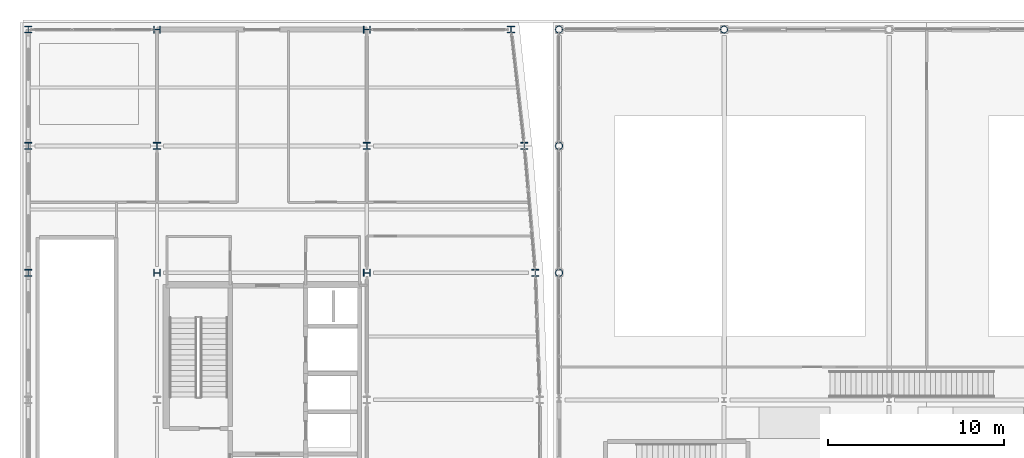
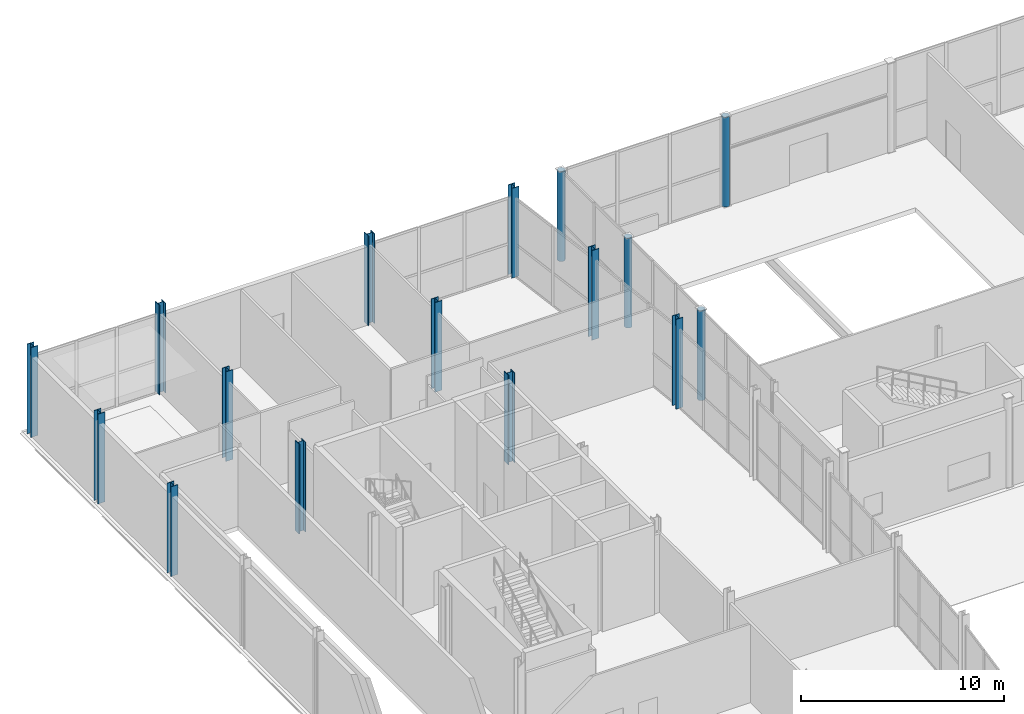
# One storey, part 5 of 83: 16 columns.
"""IFC4 building model written with IfcOpenShell, lengths in metres."""

from ifc_helpers import new_model, si_unit, direction, frame, origin, origin_2d, place, context, subcontext, project, spatial, hollow_circle, i_section, extrude, material, material_profile, profile_set, type_object, element, save


model = new_model("IFC4")

# Units and contexts
model_context = context("Model", 3, precision=1e-05, world=origin(), true_north=direction((0.0, 1.0)))
body_context = subcontext(model_context, "Body", "Model", "MODEL_VIEW")
ifc_project = project(units=[si_unit("LENGTHUNIT", "METRE"), si_unit("AREAUNIT", "SQUARE_METRE"), si_unit("VOLUMEUNIT", "CUBIC_METRE"), si_unit("PLANEANGLEUNIT", "RADIAN"), si_unit("MASSUNIT", "GRAM", prefix="KILO")], contexts=[model_context])

# Site, building, storey
site_placement = place(None, origin())
site = spatial("IfcSite", under=ifc_project, at=site_placement, CompositionType="ELEMENT")
building_placement = place(site_placement, origin())
building = spatial("IfcBuilding", under=site, at=building_placement, Name="Quillay Park Conservatory", CompositionType="ELEMENT")
storey_placement = place(building_placement, origin())
storey = spatial("IfcBuildingStorey", under=building, at=storey_placement, Name="L00", CompositionType="ELEMENT", Elevation=0.0)

# Columns
ifc_material_1 = material(Name="Steel S355J2H", Category="steel")
ifc_material_profile_1 = material_profile(ifc_material_1, hollow_circle(Radius=0.203125, WallThickness=0.01611328125, at=origin_2d()), Name="CHS406.4x16")
ifc_profile_set_1 = profile_set([ifc_material_profile_1], Name="Steel S355J2H")
column_type_1 = type_object("IfcColumnType", Name="COMPOSITE STEEL COLUMN CHS406", PredefinedType="COLUMN", material=ifc_profile_set_1)
for number, where, z_axis, x_axis, name in (
    (1, (30.64990234375, 113.39990234375, 0.0), (0.0, 0.0, 1.0), (1.0, 0.0, 0.0), "L00 column COL-V1-L00-0-1"),
    (2, (40.005615234375, 113.39990234375, 0.0), (0.0, 0.0, 1.0), (1.0, 0.0, 0.0), "L00 column COL-V1-L00-1-1"),
    (3, (30.64990234375, 99.60009765625, 0.0), (0.0, 0.0, 1.0), (1.0, 0.0, 0.0), "L00 column COL-V1E-L00-W-0"),
    (4, (30.64990234375, 106.800048828125, 0.0), (0.0, 0.0, 1.0), (1.0, 0.0, 0.0), "L00 column COL-V1E-L00-W-1"),
):
    element("IfcColumn", number, at=place(storey_placement, frame(where, z_axis=z_axis, x_axis=x_axis)), inside=storey, type_object=column_type_1, Name=name, PredefinedType="COLUMN", context=body_context, shape_type="SweptSolid", body=[
        extrude(hollow_circle(Radius=0.203125, WallThickness=0.01611328125, at=origin_2d()), origin(), (0.0, 0.0, 1.0), 5.39990234375),
    ])
ifc_material_2 = material(Name="Steel ASTM A992 Grade 50", Category="steel")
ifc_material_profile_2 = material_profile(ifc_material_2, i_section(OverallWidth=0.39892578125, OverallDepth=0.39306640625, WebThickness=0.022705078125, FlangeThickness=0.0361328125, FilletRadius=0.014892578125, at=origin_2d()), Name="W360x287")
ifc_profile_set_2 = profile_set([ifc_material_profile_2], Name="Steel ASTM A992 Grade 50")
column_type_2 = type_object("IfcColumnType", Name="COMPOSITE STEEL COLUMN W360 X287", PredefinedType="COLUMN", material=ifc_profile_set_2)
for number, where, z_axis, x_axis, name in (
    (5, (0.550048828125, 99.60009765625, 0.0), (0.0, 0.0, 1.0), (1.0, 0.0, 0.0), "L00 column COL-V4-L00-5-0"),
    (6, (7.85009765625, 99.60009765625, 0.0), (0.0, 0.0, 1.0), (0.0, 1.0, 0.0), "L00 column COL-V4-L00-5-1"),
    (7, (19.75, 99.60009765625, 0.0), (0.0, 0.0, 1.0), (0.0, 1.0, 0.0), "L00 column COL-V4-L00-5-2"),
    (8, (29.300048828125, 99.60009765625, 0.0), (0.0, 0.0, 1.0), (1.0, 0.0, 0.0), "L00 column COL-V4-L00-5-3"),
    (9, (0.550048828125, 106.800048828125, 0.0), (0.0, 0.0, 1.0), (1.0, 0.0, 0.0), "L00 column COL-V4-L00-6-0"),
    (10, (7.85009765625, 106.800048828125, 0.0), (0.0, 0.0, 1.0), (1.0, 0.0, 0.0), "L00 column COL-V4-L00-6-1"),
    (11, (19.75, 106.800048828125, 0.0), (0.0, 0.0, 1.0), (1.0, 0.0, 0.0), "L00 column COL-V4-L00-6-2"),
    (12, (28.675048828125, 106.800048828125, 0.0), (0.0, 0.0, 1.0), (1.0, 0.0, 0.0), "L00 column COL-V4-L00-6-3"),
    (13, (0.550048828125, 113.39990234375, 0.0), (0.0, 0.0, 1.0), (1.0, 0.0, 0.0), "L00 column COL-V4-L00-7-0"),
    (14, (7.85009765625, 113.39990234375, 0.0), (0.0, 0.0, 1.0), (0.0, 1.0, 0.0), "L00 column COL-V4-L00-7-1"),
    (15, (19.75, 113.39990234375, 0.0), (0.0, 0.0, 1.0), (0.0, 1.0, 0.0), "L00 column COL-V4-L00-7-2"),
    (16, (27.925048828125, 113.39990234375, 0.0), (0.0, 0.0, 1.0), (1.0, 0.0, 0.0), "L00 column COL-V4-L00-7-3"),
):
    element("IfcColumn", number, at=place(storey_placement, frame(where, z_axis=z_axis, x_axis=x_axis)), inside=storey, type_object=column_type_2, Name=name, PredefinedType="COLUMN", context=body_context, shape_type="SweptSolid", body=[
        extrude(i_section(OverallWidth=0.39892578125, OverallDepth=0.39306640625, WebThickness=0.022705078125, FlangeThickness=0.0361328125, FilletRadius=0.014892578125, at=origin_2d()), origin(), (0.0, 0.0, 1.0), 5.39990234375),
    ])

save(model, "model.ifc")
